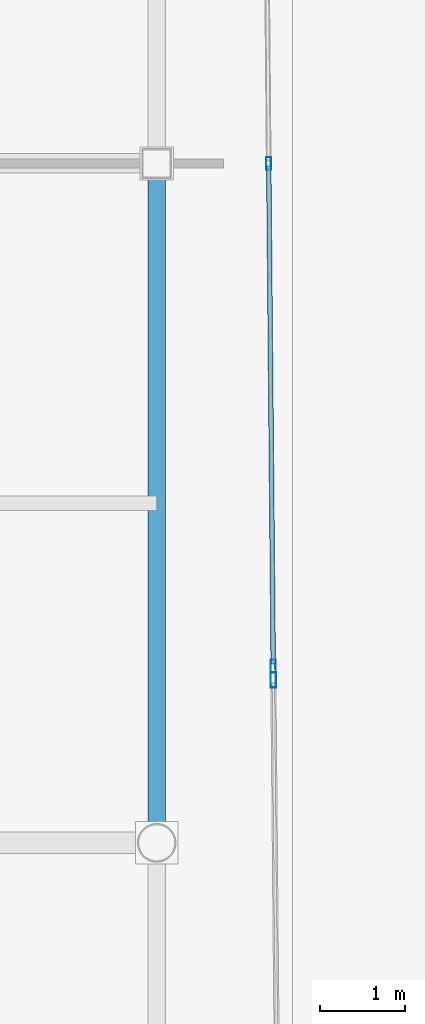
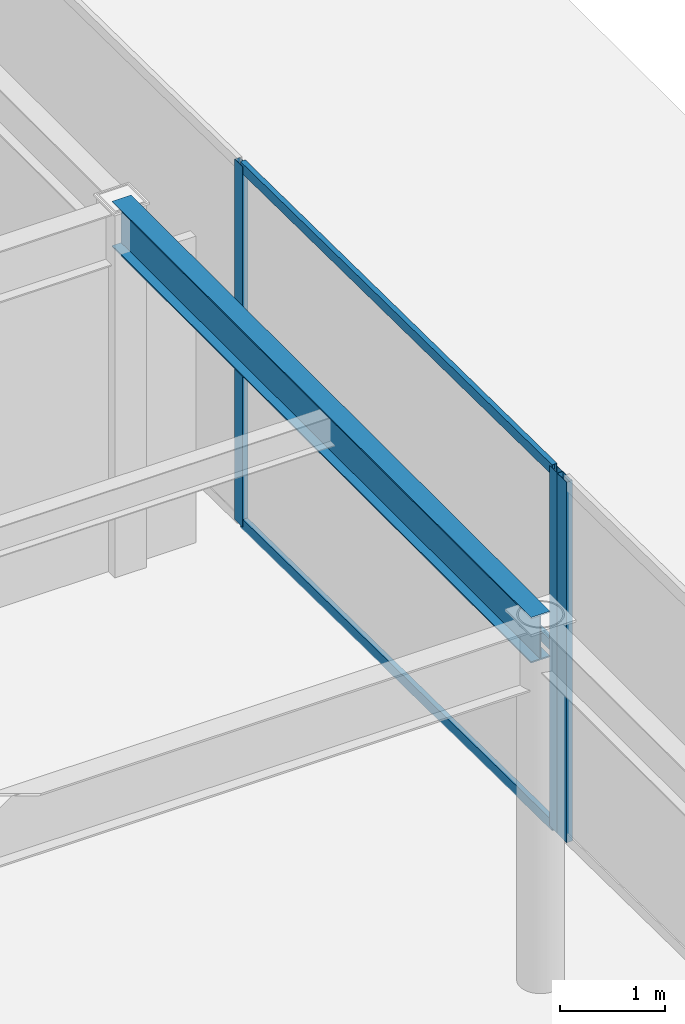
# One storey, part 47 of 107: 6 members, 1 beam, 2 elements without a shape of their own.
"""IFC4 building model written with IfcOpenShell, lengths in metres."""

import ifcopenshell
import ifcopenshell.guid

model = None  # the IFC model being written
_history = None  # IfcOwnerHistory: only IFC2X3 demands one
_inside = {}  # id of a spatial element -> (the spatial element, [elements in it])
_under = {}  # id of a project, library or spatial element -> (it, [spatial elements below it])
_declared = {}  # id of a project -> (the project, [libraries it declares])
_typed = {}  # id of a type object -> (the type object, [elements of that type])
_made_of = {}  # id of a material, layer set ... -> (it, [elements and type objects made of it])


def new_model(schema):
    """Start an empty IFC model of exactly this schema.

    Asked for "IFC4X3", IfcOpenShell would pick the latest addendum, in which some entities
    have other attributes; the version numbers below select the first issue.
    IFC2X3 requires an IfcOwnerHistory on every rooted entity: one is made here for all.
    """
    global model, _history
    if schema == "IFC4X3":
        model = ifcopenshell.file(schema_version=(4, 3, 0, 0))
    else:
        model = ifcopenshell.file(schema=schema)
    _inside.clear()
    _under.clear()
    _declared.clear()
    _typed.clear()
    _made_of.clear()
    _history = None
    if model.schema == "IFC2X3":
        org = make("IfcOrganization", Name="unknown")
        user = make(
            "IfcPersonAndOrganization",
            ThePerson=make("IfcPerson", FamilyName="unknown"),
            TheOrganization=org,
        )
        app = make(
            "IfcApplication",
            ApplicationDeveloper=org,
            Version="unknown",
            ApplicationFullName="unknown",
            ApplicationIdentifier="unknown",
        )
        _history = make(
            "IfcOwnerHistory",
            OwningUser=user,
            OwningApplication=app,
            ChangeAction="ADDED",
            CreationDate=0,
        )
    return model


def make(cls, **values):
    """One entity of the class cls with the attributes given. An attribute that is None is left unset."""
    return model.create_entity(
        cls, **{name: value for name, value in values.items() if value is not None}
    )


def rooted(cls, **values):
    """An entity with a GlobalId (a new one), such as an element, a storey or a relation."""
    return make(cls, GlobalId=ifcopenshell.guid.new(), OwnerHistory=_history, **values)


def si_unit(unit_type, name, prefix=None):
    """IfcSIUnit, for example si_unit("LENGTHUNIT", "METRE", prefix="MILLI")."""
    return make("IfcSIUnit", UnitType=unit_type, Prefix=prefix, Name=name)


def assignment(units):
    """IfcUnitAssignment: the units of a project."""
    return None if units is None else make("IfcUnitAssignment", Units=units)


def point(xyz):
    """IfcCartesianPoint."""
    return None if xyz is None else make("IfcCartesianPoint", Coordinates=xyz)


def direction(xyz):
    """IfcDirection."""
    return None if xyz is None else make("IfcDirection", DirectionRatios=xyz)


def frame(location, z_axis=None, x_axis=None):
    """IfcAxis2Placement3D, a coordinate frame: its origin and axes. An axis left out is left unset."""
    return make(
        "IfcAxis2Placement3D",
        Location=point(location),
        Axis=direction(z_axis),
        RefDirection=direction(x_axis),
    )


def frame_2d(location, x_axis=None):
    """IfcAxis2Placement2D, a coordinate frame in the plane: its origin and x axis."""
    return make(
        "IfcAxis2Placement2D", Location=point(location), RefDirection=direction(x_axis)
    )


def origin():
    """The frame at (0, 0, 0) with its axes left unset."""
    return frame((0.0, 0.0, 0.0))


def origin_2d():
    """The frame at (0, 0) in the plane with its x axis left unset."""
    return frame_2d((0.0, 0.0))


def place(relative_to, where):
    """IfcLocalPlacement: puts the frame where relative to a parent placement (None: the world)."""
    return make(
        "IfcLocalPlacement", PlacementRelTo=relative_to, RelativePlacement=where
    )


def context(
    kind, dimensions, precision=None, world=None, true_north=None, identifier=None
):
    """IfcGeometricRepresentationContext, for example the 3D "Model" context."""
    return make(
        "IfcGeometricRepresentationContext",
        ContextIdentifier=identifier,
        ContextType=kind,
        CoordinateSpaceDimension=dimensions,
        Precision=precision,
        WorldCoordinateSystem=world,
        TrueNorth=true_north,
    )


def subcontext(parent, identifier, kind, view, scale=None):
    """IfcGeometricRepresentationSubContext, for example "Body" below "Model"."""
    return make(
        "IfcGeometricRepresentationSubContext",
        ContextIdentifier=identifier,
        ContextType=kind,
        ParentContext=parent,
        TargetScale=scale,
        TargetView=view,
    )


def project(units=None, contexts=None):
    """IfcProject with its units and contexts."""
    return rooted(
        "IfcProject",
        Name="project",
        RepresentationContexts=contexts,
        UnitsInContext=assignment(units),
    )


def spatial(cls, under=None, at=None, **own):
    """A site, building, storey or space (cls), placed at a placement, below another one or the project."""
    s = rooted(cls, ObjectPlacement=at, **own)
    if under is not None:
        _under.setdefault(under.id(), (under, []))[1].append(s)
    return s


def profile(cls, at=None, kind="AREA", **sizes):
    """A parametric profile (cls). Its sizes go by their IFC names, for example OverallWidth=200.0."""
    return make(cls, ProfileType=kind, Position=at, **sizes)


def hollow_rectangle(**sizes):
    """IfcRectangleHollowProfileDef."""
    return profile("IfcRectangleHollowProfileDef", **sizes)


def i_section(**sizes):
    """IfcIShapeProfileDef."""
    return profile("IfcIShapeProfileDef", **sizes)


def extrude(swept, where, along, depth):
    """IfcExtrudedAreaSolid: the profile swept, set in the frame where, extruded along a direction by depth."""
    return make(
        "IfcExtrudedAreaSolid",
        SweptArea=swept,
        Position=where,
        ExtrudedDirection=direction(along),
        Depth=depth,
    )


def shape(context_of_items, identifier, shape_type, items):
    """IfcShapeRepresentation: the items that make up one representation, for example the "Body"."""
    return make(
        "IfcShapeRepresentation",
        ContextOfItems=context_of_items,
        RepresentationIdentifier=identifier,
        RepresentationType=shape_type,
        Items=items,
    )


def material(Name=None, Category=None):
    """IfcMaterial."""
    return make("IfcMaterial", Name=Name, Category=Category)


def layer(
    of_material, thickness, ventilated=None, Name=None, Category=None, Priority=None
):
    """IfcMaterialLayer: one layer of a wall or slab, of a material (None: an air gap)."""
    return make(
        "IfcMaterialLayer",
        Material=of_material,
        LayerThickness=thickness,
        IsVentilated=ventilated,
        Name=Name,
        Category=Category,
        Priority=Priority,
    )


def layer_set(layers, Name=None):
    """IfcMaterialLayerSet."""
    return make("IfcMaterialLayerSet", MaterialLayers=layers, LayerSetName=Name)


def material_profile(
    of_material, cross_section, Name=None, Category=None, Priority=None
):
    """IfcMaterialProfile: a cross section and its material."""
    return make(
        "IfcMaterialProfile",
        Name=Name,
        Material=of_material,
        Profile=cross_section,
        Priority=Priority,
        Category=Category,
    )


def profile_set(profiles, Name=None, composite=None):
    """IfcMaterialProfileSet."""
    return make(
        "IfcMaterialProfileSet",
        Name=Name,
        MaterialProfiles=profiles,
        CompositeProfile=composite,
    )


def made_of(thing, what):
    """Note that an element or type object is made of a material, layer set ...; save() writes the relation."""
    if what is not None:
        _made_of.setdefault(what.id(), (what, []))[1].append(thing)
    return thing


def type_object(cls, material=None, **own):
    """A type object (cls), such as IfcWallType, which elements share."""
    return made_of(rooted(cls, **own), material)


def element(
    cls,
    number,
    at=None,
    inside=None,
    cuts=None,
    type_object=None,
    material=None,
    context=None,
    identifier="Body",
    shape_type=None,
    held_by="IfcProductDefinitionShape",
    body=None,
    shapes=None,
    **own,
):
    """One element of the class cls, such as IfcWall. Its Tag is "e" and its number.

    at: its placement. inside: the storey or other place that contains it. cuts: it is an
    opening in that element (IfcRelVoidsElement). A single representation is given by context,
    identifier, shape_type and body (its items); several are given by shapes. held_by: the class
    of the entity that holds the representations. save() writes the other relations.
    """
    e = rooted(cls, Tag="e%d" % number, ObjectPlacement=at, **own)
    if body is not None:
        shapes = [shape(context, identifier, shape_type, body)]
    if shapes is not None:
        e.Representation = make(held_by, Representations=shapes)
    if inside is not None:
        _inside.setdefault(inside.id(), (inside, []))[1].append(e)
    if cuts is not None:
        rooted(
            "IfcRelVoidsElement", RelatingBuildingElement=cuts, RelatedOpeningElement=e
        )
    if type_object is not None:
        _typed.setdefault(type_object.id(), (type_object, []))[1].append(e)
    return made_of(e, material)


def aggregate(whole, parts):
    """IfcRelAggregates: a whole, such as a stair, and the parts it consists of."""
    return rooted("IfcRelAggregates", RelatingObject=whole, RelatedObjects=parts)


def save(model, path):
    """Write the relations noted so far, then the file.

    IfcRelAggregates (storeys below a building ...), IfcRelContainedInSpatialStructure (elements
    in a storey), IfcRelDefinesByType, IfcRelAssociatesMaterial and IfcRelDeclares: one each for
    every whole, place, type object, material and project.
    """
    for whole, parts in _under.values():
        aggregate(whole, parts)
    for where, things in _inside.values():
        rooted(
            "IfcRelContainedInSpatialStructure",
            RelatedElements=things,
            RelatingStructure=where,
        )
    for kind, things in _typed.values():
        rooted("IfcRelDefinesByType", RelatedObjects=things, RelatingType=kind)
    for what, things in _made_of.values():
        rooted("IfcRelAssociatesMaterial", RelatedObjects=things, RelatingMaterial=what)
    for by, libraries in _declared.values():
        rooted("IfcRelDeclares", RelatingContext=by, RelatedDefinitions=libraries)
    model.write(path)


model = new_model("IFC4")

# Units and contexts
model_context = context("Model", 3, precision=1e-05, world=origin(), true_north=direction((0.0, 1.0)))
body_context = subcontext(model_context, "Body", "Model", "MODEL_VIEW")
ifc_project = project(units=[si_unit("LENGTHUNIT", "METRE"), si_unit("AREAUNIT", "SQUARE_METRE"), si_unit("VOLUMEUNIT", "CUBIC_METRE"), si_unit("PLANEANGLEUNIT", "RADIAN"), si_unit("MASSUNIT", "GRAM", prefix="KILO")], contexts=[model_context])

# Site, building, storey
site_placement = place(None, origin())
site = spatial("IfcSite", under=ifc_project, at=site_placement, CompositionType="ELEMENT")
building_placement = place(site_placement, origin())
building = spatial("IfcBuilding", under=site, at=building_placement, Name="Kalgoora Escarpment Arena", CompositionType="ELEMENT")
storey_placement = place(building_placement, frame((0.0, 0.0, 5.39990234375)))
storey = spatial("IfcBuildingStorey", under=building, at=storey_placement, Name="L01", CompositionType="ELEMENT", Elevation=5.39990234375)

# Beam
ifc_material_1 = material(Name="Structural steel AS/NZS 3679 (300 MPa)", Category="steel")
ifc_material_profile_1 = material_profile(ifc_material_1, i_section(OverallWidth=0.208984375, OverallDepth=0.532958984375, WebThickness=0.01025390625, FlangeThickness=0.015625, at=origin_2d()))
ifc_profile_set_1 = profile_set([ifc_material_profile_1], Name="Structural steel AS/NZS 3679 (300 MPa)")
beam_type = type_object("IfcBeamType", Name="BM-GIRDER-530UB92.4", PredefinedType="USERDEFINED", material=ifc_profile_set_1)
beam_placement = place(storey_placement, frame((176.39990234375, 16.0, 3.99365234375), z_axis=(0.0, 1.0, 0.0), x_axis=(-1.0, 0.0, 0.0)))
element("IfcBeam", 1, at=beam_placement, inside=storey, type_object=beam_type, Name="L01 Floor girder 530UB92.4", ObjectType="GIRDER", PredefinedType="USERDEFINED", context=body_context, shape_type="SweptSolid", body=[
    extrude(i_section(OverallWidth=0.208984375, OverallDepth=0.532958984375, WebThickness=0.01025390625, FlangeThickness=0.015625, at=origin_2d()), origin(), (0.0, 0.0, 1.0), 8.0),
])

# Curtain wall, members
ifc_material_2 = material(Name=" Champagne anodised aluminium & double-glazed low-E", Category="aluminium")
ifc_layer_1 = layer(ifc_material_2, 0.14990234375)
ifc_layer_set_1 = layer_set([ifc_layer_1], Name="CW-UNIT-20")
curtain_wall_type_1 = type_object("IfcCurtainWallType", Name="CW-UNIT-20", PredefinedType="NOTDEFINED", material=ifc_layer_set_1)
curtain_wall_1_placement = place(storey_placement, origin())
curtain_wall_1 = element("IfcCurtainWall", 2, at=curtain_wall_1_placement, inside=storey, type_object=curtain_wall_type_1, Name="L01 unitised facade curtain wall 039", PredefinedType="NOTDEFINED")
ifc_material_3 = material(Name="Anodised aluminium 6063-T6", Category="aluminium")
ifc_material_profile_2 = material_profile(ifc_material_3, hollow_rectangle(XDim=0.06005859375, YDim=0.14990234375, WallThickness=0.00341796875, at=origin_2d()))
ifc_profile_set_2 = profile_set([ifc_material_profile_2], Name="Anodised aluminium 6063-T6")
member_type_1 = type_object("IfcMemberType", Name="MEM-CW-MULL-150", PredefinedType="MULLION", material=ifc_profile_set_2)
member_1_placement = place(storey_placement, frame((177.71875, 23.998779296875, 0.02001953125), z_axis=(0.0, 0.0, 1.0), x_axis=(0.999959954916, 0.008949221441, 0.0)))
member_1 = element("IfcMember", 3, at=member_1_placement, type_object=member_type_1, Name="CW-20 mullion 2", PredefinedType="MULLION", context=body_context, shape_type="SweptSolid", body=[
    extrude(hollow_rectangle(XDim=0.06005859375, YDim=0.14990234375, WallThickness=0.00341796875, at=origin_2d()), origin(), (0.0, 0.0, 1.0), 4.2001953125),
])
member_2_placement = place(storey_placement, frame((177.771728515625, 18.078857421875, 0.02001953125), z_axis=(0.0, 0.0, 1.0), x_axis=(0.999959954916, 0.008949221441, 0.0)))
member_2 = element("IfcMember", 4, at=member_2_placement, type_object=member_type_1, Name="CW-20 mullion 3", PredefinedType="MULLION", context=body_context, shape_type="SweptSolid", body=[
    extrude(hollow_rectangle(XDim=0.06005859375, YDim=0.14990234375, WallThickness=0.00341796875, at=origin_2d()), origin(), (0.0, 0.0, 1.0), 4.2001953125),
])

# Curtain wall, member
ifc_material_4 = material(Name=" Champagne anodised aluminium & double-glazed low-E", Category="aluminium")
ifc_layer_2 = layer(ifc_material_4, 0.154052734375)
ifc_layer_set_2 = layer_set([ifc_layer_2], Name="CW-UNIT-01")
curtain_wall_type_2 = type_object("IfcCurtainWallType", Name="CW-UNIT-01", PredefinedType="NOTDEFINED", material=ifc_layer_set_2)
curtain_wall_2_placement = place(storey_placement, origin())
curtain_wall_2 = element("IfcCurtainWall", 5, at=curtain_wall_2_placement, inside=storey, type_object=curtain_wall_type_2, Name="L01 unitised facade curtain wall 040", PredefinedType="NOTDEFINED")
ifc_material_5 = material(Name="Anodised aluminium 6063-T6", Category="aluminium")
ifc_material_profile_3 = material_profile(ifc_material_5, hollow_rectangle(XDim=0.06494140625, YDim=0.179931640625, WallThickness=0.00390625, at=origin_2d()))
ifc_profile_set_3 = profile_set([ifc_material_profile_3], Name="Anodised aluminium 6063-T6")
member_type_2 = type_object("IfcMemberType", Name="MEM-CW-MULL-180", PredefinedType="MULLION", material=ifc_profile_set_3)
member_3_placement = place(storey_placement, frame((177.773193359375, 17.91650390625, 0.02001953125), z_axis=(0.0, 0.0, 1.0), x_axis=(0.999959915577, 0.008953615986, 0.0)))
member_3 = element("IfcMember", 6, at=member_3_placement, type_object=member_type_2, Name="CW-01 mullion 1", PredefinedType="MULLION", context=body_context, shape_type="SweptSolid", body=[
    extrude(hollow_rectangle(XDim=0.06494140625, YDim=0.179931640625, WallThickness=0.00390625, at=origin_2d()), origin(), (0.0, 0.0, 1.0), 4.2001953125),
])
aggregate(curtain_wall_2, [member_3])

# Member
ifc_material_6 = material(Name="Anodised aluminium 6063-T6", Category="aluminium")
ifc_material_profile_4 = material_profile(ifc_material_6, hollow_rectangle(XDim=0.054931640625, YDim=0.1201171875, WallThickness=0.003173828125, at=origin_2d()))
ifc_profile_set_4 = profile_set([ifc_material_profile_4], Name="Anodised aluminium 6063-T6")
member_type_3 = type_object("IfcMemberType", Name="MEM-CW-TRAN-120", PredefinedType="USERDEFINED", material=ifc_profile_set_4)
member_4_placement = place(storey_placement, frame((177.71923828125, 23.968994140625, 0.047607421875), z_axis=(0.008915197908, -0.999960258833, 0.0), x_axis=(0.999960258833, 0.008915197908, 0.0)))
member_4 = element("IfcMember", 7, at=member_4_placement, type_object=member_type_3, Name="CW-20 transom 2.1", ObjectType="TRANSOM", PredefinedType="USERDEFINED", context=body_context, shape_type="SweptSolid", body=[
    extrude(hollow_rectangle(XDim=0.054931640625, YDim=0.1201171875, WallThickness=0.003173828125, at=origin_2d()), origin(), (0.0, 0.0, 1.0), 5.8603515625),
])

member_5_placement = place(storey_placement, frame((177.71923828125, 23.968994140625, 2.130126953125), z_axis=(0.008915197908, -0.999960258833, 0.0), x_axis=(0.999960258833, 0.008915197908, 0.0)))
member_5 = element("IfcMember", 8, at=member_5_placement, type_object=member_type_3, Name="CW-20 transom 2.2", ObjectType="TRANSOM", PredefinedType="USERDEFINED", context=body_context, shape_type="SweptSolid", body=[
    extrude(hollow_rectangle(XDim=0.054931640625, YDim=0.1201171875, WallThickness=0.003173828125, at=origin_2d()), origin(), (0.0, 0.0, 1.0), 5.8603515625),
])

member_6_placement = place(storey_placement, frame((177.71923828125, 23.968994140625, 4.192626953125), z_axis=(0.008915197908, -0.999960258833, 0.0), x_axis=(0.999960258833, 0.008915197908, 0.0)))
member_6 = element("IfcMember", 9, at=member_6_placement, type_object=member_type_3, Name="CW-20 transom 2.3", ObjectType="TRANSOM", PredefinedType="USERDEFINED", context=body_context, shape_type="SweptSolid", body=[
    extrude(hollow_rectangle(XDim=0.054931640625, YDim=0.1201171875, WallThickness=0.003173828125, at=origin_2d()), origin(), (0.0, 0.0, 1.0), 5.8603515625),
])

aggregate(curtain_wall_1, [member_1, member_2, member_4, member_5, member_6])

save(model, "model.ifc")
